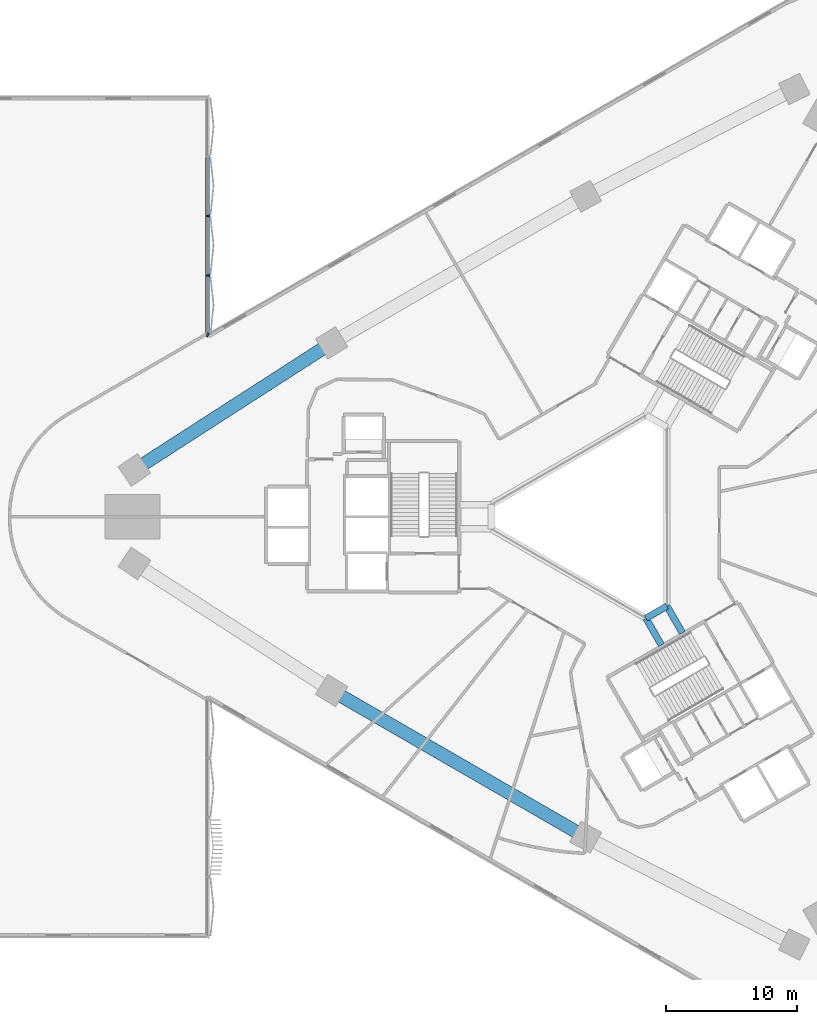
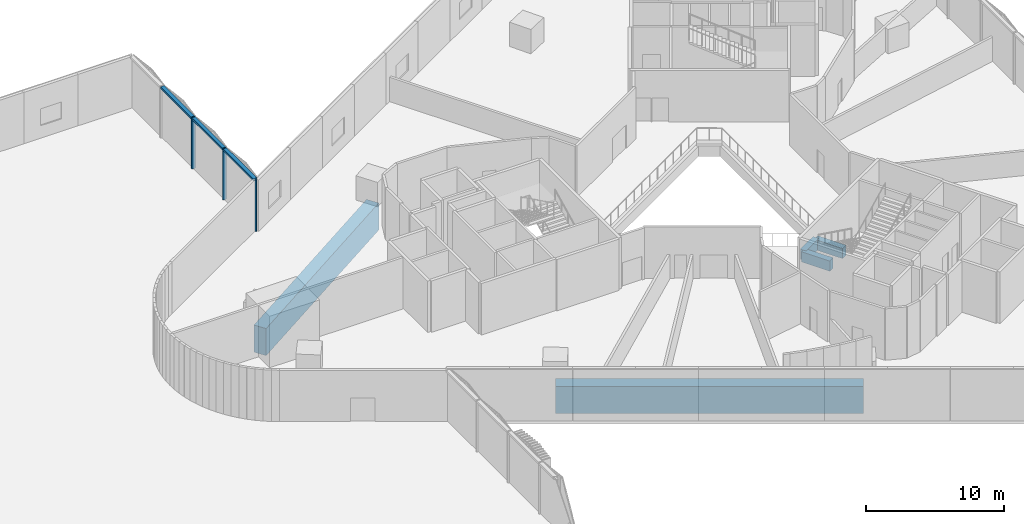
# One storey, part 5 of 24: 5 beams, 4 members, 1 element without a shape of its own.
"""IFC4 building model written with IfcOpenShell, lengths in metres."""

import ifcopenshell
import ifcopenshell.guid

model = None  # the IFC model being written
_history = None  # IfcOwnerHistory: only IFC2X3 demands one
_inside = {}  # id of a spatial element -> (the spatial element, [elements in it])
_under = {}  # id of a project, library or spatial element -> (it, [spatial elements below it])
_declared = {}  # id of a project -> (the project, [libraries it declares])
_typed = {}  # id of a type object -> (the type object, [elements of that type])
_made_of = {}  # id of a material, layer set ... -> (it, [elements and type objects made of it])


def new_model(schema):
    """Start an empty IFC model of exactly this schema.

    Asked for "IFC4X3", IfcOpenShell would pick the latest addendum, in which some entities
    have other attributes; the version numbers below select the first issue.
    IFC2X3 requires an IfcOwnerHistory on every rooted entity: one is made here for all.
    """
    global model, _history
    if schema == "IFC4X3":
        model = ifcopenshell.file(schema_version=(4, 3, 0, 0))
    else:
        model = ifcopenshell.file(schema=schema)
    _inside.clear()
    _under.clear()
    _declared.clear()
    _typed.clear()
    _made_of.clear()
    _history = None
    if model.schema == "IFC2X3":
        org = make("IfcOrganization", Name="unknown")
        user = make(
            "IfcPersonAndOrganization",
            ThePerson=make("IfcPerson", FamilyName="unknown"),
            TheOrganization=org,
        )
        app = make(
            "IfcApplication",
            ApplicationDeveloper=org,
            Version="unknown",
            ApplicationFullName="unknown",
            ApplicationIdentifier="unknown",
        )
        _history = make(
            "IfcOwnerHistory",
            OwningUser=user,
            OwningApplication=app,
            ChangeAction="ADDED",
            CreationDate=0,
        )
    return model


def make(cls, **values):
    """One entity of the class cls with the attributes given. An attribute that is None is left unset."""
    return model.create_entity(
        cls, **{name: value for name, value in values.items() if value is not None}
    )


def rooted(cls, **values):
    """An entity with a GlobalId (a new one), such as an element, a storey or a relation."""
    return make(cls, GlobalId=ifcopenshell.guid.new(), OwnerHistory=_history, **values)


def si_unit(unit_type, name, prefix=None):
    """IfcSIUnit, for example si_unit("LENGTHUNIT", "METRE", prefix="MILLI")."""
    return make("IfcSIUnit", UnitType=unit_type, Prefix=prefix, Name=name)


def assignment(units):
    """IfcUnitAssignment: the units of a project."""
    return None if units is None else make("IfcUnitAssignment", Units=units)


def point(xyz):
    """IfcCartesianPoint."""
    return None if xyz is None else make("IfcCartesianPoint", Coordinates=xyz)


def direction(xyz):
    """IfcDirection."""
    return None if xyz is None else make("IfcDirection", DirectionRatios=xyz)


def frame(location, z_axis=None, x_axis=None):
    """IfcAxis2Placement3D, a coordinate frame: its origin and axes. An axis left out is left unset."""
    return make(
        "IfcAxis2Placement3D",
        Location=point(location),
        Axis=direction(z_axis),
        RefDirection=direction(x_axis),
    )


def frame_2d(location, x_axis=None):
    """IfcAxis2Placement2D, a coordinate frame in the plane: its origin and x axis."""
    return make(
        "IfcAxis2Placement2D", Location=point(location), RefDirection=direction(x_axis)
    )


def origin():
    """The frame at (0, 0, 0) with its axes left unset."""
    return frame((0.0, 0.0, 0.0))


def origin_2d():
    """The frame at (0, 0) in the plane with its x axis left unset."""
    return frame_2d((0.0, 0.0))


def place(relative_to, where):
    """IfcLocalPlacement: puts the frame where relative to a parent placement (None: the world)."""
    return make(
        "IfcLocalPlacement", PlacementRelTo=relative_to, RelativePlacement=where
    )


def context(
    kind, dimensions, precision=None, world=None, true_north=None, identifier=None
):
    """IfcGeometricRepresentationContext, for example the 3D "Model" context."""
    return make(
        "IfcGeometricRepresentationContext",
        ContextIdentifier=identifier,
        ContextType=kind,
        CoordinateSpaceDimension=dimensions,
        Precision=precision,
        WorldCoordinateSystem=world,
        TrueNorth=true_north,
    )


def subcontext(parent, identifier, kind, view, scale=None):
    """IfcGeometricRepresentationSubContext, for example "Body" below "Model"."""
    return make(
        "IfcGeometricRepresentationSubContext",
        ContextIdentifier=identifier,
        ContextType=kind,
        ParentContext=parent,
        TargetScale=scale,
        TargetView=view,
    )


def project(units=None, contexts=None):
    """IfcProject with its units and contexts."""
    return rooted(
        "IfcProject",
        Name="project",
        RepresentationContexts=contexts,
        UnitsInContext=assignment(units),
    )


def spatial(cls, under=None, at=None, **own):
    """A site, building, storey or space (cls), placed at a placement, below another one or the project."""
    s = rooted(cls, ObjectPlacement=at, **own)
    if under is not None:
        _under.setdefault(under.id(), (under, []))[1].append(s)
    return s


def profile(cls, at=None, kind="AREA", **sizes):
    """A parametric profile (cls). Its sizes go by their IFC names, for example OverallWidth=200.0."""
    return make(cls, ProfileType=kind, Position=at, **sizes)


def rectangle(**sizes):
    """IfcRectangleProfileDef."""
    return profile("IfcRectangleProfileDef", **sizes)


def extrude(swept, where, along, depth):
    """IfcExtrudedAreaSolid: the profile swept, set in the frame where, extruded along a direction by depth."""
    return make(
        "IfcExtrudedAreaSolid",
        SweptArea=swept,
        Position=where,
        ExtrudedDirection=direction(along),
        Depth=depth,
    )


def shape(context_of_items, identifier, shape_type, items):
    """IfcShapeRepresentation: the items that make up one representation, for example the "Body"."""
    return make(
        "IfcShapeRepresentation",
        ContextOfItems=context_of_items,
        RepresentationIdentifier=identifier,
        RepresentationType=shape_type,
        Items=items,
    )


def material(Name=None, Category=None):
    """IfcMaterial."""
    return make("IfcMaterial", Name=Name, Category=Category)


def material_profile(
    of_material, cross_section, Name=None, Category=None, Priority=None
):
    """IfcMaterialProfile: a cross section and its material."""
    return make(
        "IfcMaterialProfile",
        Name=Name,
        Material=of_material,
        Profile=cross_section,
        Priority=Priority,
        Category=Category,
    )


def profile_set(profiles, Name=None, composite=None):
    """IfcMaterialProfileSet."""
    return make(
        "IfcMaterialProfileSet",
        Name=Name,
        MaterialProfiles=profiles,
        CompositeProfile=composite,
    )


def made_of(thing, what):
    """Note that an element or type object is made of a material, layer set ...; save() writes the relation."""
    if what is not None:
        _made_of.setdefault(what.id(), (what, []))[1].append(thing)
    return thing


def type_object(cls, material=None, **own):
    """A type object (cls), such as IfcWallType, which elements share."""
    return made_of(rooted(cls, **own), material)


def element(
    cls,
    number,
    at=None,
    inside=None,
    cuts=None,
    type_object=None,
    material=None,
    context=None,
    identifier="Body",
    shape_type=None,
    held_by="IfcProductDefinitionShape",
    body=None,
    shapes=None,
    **own,
):
    """One element of the class cls, such as IfcWall. Its Tag is "e" and its number.

    at: its placement. inside: the storey or other place that contains it. cuts: it is an
    opening in that element (IfcRelVoidsElement). A single representation is given by context,
    identifier, shape_type and body (its items); several are given by shapes. held_by: the class
    of the entity that holds the representations. save() writes the other relations.
    """
    e = rooted(cls, Tag="e%d" % number, ObjectPlacement=at, **own)
    if body is not None:
        shapes = [shape(context, identifier, shape_type, body)]
    if shapes is not None:
        e.Representation = make(held_by, Representations=shapes)
    if inside is not None:
        _inside.setdefault(inside.id(), (inside, []))[1].append(e)
    if cuts is not None:
        rooted(
            "IfcRelVoidsElement", RelatingBuildingElement=cuts, RelatedOpeningElement=e
        )
    if type_object is not None:
        _typed.setdefault(type_object.id(), (type_object, []))[1].append(e)
    return made_of(e, material)


def aggregate(whole, parts):
    """IfcRelAggregates: a whole, such as a stair, and the parts it consists of."""
    return rooted("IfcRelAggregates", RelatingObject=whole, RelatedObjects=parts)


def save(model, path):
    """Write the relations noted so far, then the file.

    IfcRelAggregates (storeys below a building ...), IfcRelContainedInSpatialStructure (elements
    in a storey), IfcRelDefinesByType, IfcRelAssociatesMaterial and IfcRelDeclares: one each for
    every whole, place, type object, material and project.
    """
    for whole, parts in _under.values():
        aggregate(whole, parts)
    for where, things in _inside.values():
        rooted(
            "IfcRelContainedInSpatialStructure",
            RelatedElements=things,
            RelatingStructure=where,
        )
    for kind, things in _typed.values():
        rooted("IfcRelDefinesByType", RelatedObjects=things, RelatingType=kind)
    for what, things in _made_of.values():
        rooted("IfcRelAssociatesMaterial", RelatedObjects=things, RelatingMaterial=what)
    for by, libraries in _declared.values():
        rooted("IfcRelDeclares", RelatingContext=by, RelatedDefinitions=libraries)
    model.write(path)


model = new_model("IFC4")

# Units and contexts
model_context = context("Model", 3, precision=1e-05, world=origin(), true_north=direction((0.0, 1.0)))
body_context = subcontext(model_context, "Body", "Model", "MODEL_VIEW")
ifc_project = project(units=[si_unit("LENGTHUNIT", "METRE"), si_unit("AREAUNIT", "SQUARE_METRE"), si_unit("VOLUMEUNIT", "CUBIC_METRE"), si_unit("PLANEANGLEUNIT", "RADIAN"), si_unit("MASSUNIT", "GRAM", prefix="KILO")], contexts=[model_context])

# Site, building, storey
site_placement = place(None, origin())
site = spatial("IfcSite", under=ifc_project, at=site_placement, CompositionType="ELEMENT")
building_placement = place(site_placement, origin())
building = spatial("IfcBuilding", under=site, at=building_placement, Name="Tamra Quay Hotel Tower", CompositionType="ELEMENT")
storey_placement = place(building_placement, frame((0.0, 0.0, 19.5)))
storey = spatial("IfcBuildingStorey", under=building, at=storey_placement, Name="L03", CompositionType="ELEMENT", Elevation=19.5)

# Beams
ifc_material_1 = material(Name="Concrete M60", Category="concrete")
ifc_material_profile_1 = material_profile(ifc_material_1, rectangle(XDim=0.5, YDim=0.89990234375, at=origin_2d()), Name="ATRIUM EDGE BEAM RC 500x900")
ifc_profile_set_1 = profile_set([ifc_material_profile_1], Name="Concrete M60")
beam_type_1 = type_object("IfcBeamType", Name="ATRIUM EDGE BEAM RC 500x900", PredefinedType="BEAM", material=ifc_profile_set_1)
beam_1_placement = place(storey_placement, frame((5.0, -6.812744140625, -0.800048828125), z_axis=(-0.86602275259, -0.500004591975, 0.0), x_axis=(0.500004591975, -0.86602275259, 0.0)))
element("IfcBeam", 1, at=beam_1_placement, inside=storey, type_object=beam_type_1, Name="BM-AB1-L03", PredefinedType="BEAM", context=body_context, shape_type="SweptSolid", body=[
    extrude(rectangle(XDim=0.5, YDim=0.89990234375, at=origin_2d()), origin(), (0.0, 0.0, 1.0), 1.84765625),
])
ifc_material_profile_2 = material_profile(ifc_material_1, rectangle(XDim=0.5, YDim=0.89990234375, at=origin_2d()), Name="ATRIUM TIE BEAM RC 500x900")
ifc_profile_set_2 = profile_set([ifc_material_profile_2], Name="Concrete M60")
beam_type_2 = type_object("IfcBeamType", Name="ATRIUM TIE BEAM RC 500x900", PredefinedType="BEAM", material=ifc_profile_set_2)
for number, where, z_axis, x_axis, name in (
    (2, (5.0, -6.812744140625, -0.800048828125), (0.500029618126, -0.866008303076, 0.0), (0.866008303076, 0.500029618126, 0.0), "BM-TIE-1-L03"),
    (3, (3.39990234375, -7.736572265625, -0.800048828125), (0.500029618126, -0.866008303076, 0.0), (0.866008303076, 0.500029618126, 0.0), "BM-TIE-2-L03"),
):
    element("IfcBeam", number, at=place(storey_placement, frame(where, z_axis=z_axis, x_axis=x_axis)), inside=storey, type_object=beam_type_2, Name=name, PredefinedType="BEAM", context=body_context, shape_type="SweptSolid", body=[
        extrude(rectangle(XDim=0.5, YDim=0.89990234375, at=origin_2d()), origin(), (0.0, 0.0, 1.0), 2.362060546875),
    ])

# Curtain wall, members
ifc_material_2 = material(Name="Aluminium 6063 anodised dark grey", Category="aluminium")
curtain_wall_type = type_object("IfcCurtainWallType", Name="CW4 CURTAIN WALL", PredefinedType="NOTDEFINED", material=ifc_material_2)
curtain_wall_placement = place(storey_placement, origin())
curtain_wall = element("IfcCurtainWall", 4, at=curtain_wall_placement, inside=storey, type_object=curtain_wall_type, Name="CW4 east face L03", PredefinedType="NOTDEFINED")
ifc_material_profile_3 = material_profile(ifc_material_2, rectangle(XDim=0.300048828125, YDim=0.1201171875, at=origin_2d()), Name="MULLION 120X300")
ifc_profile_set_3 = profile_set([ifc_material_profile_3], Name="Aluminium 6063 anodised dark grey")
member_type_1 = type_object("IfcMemberType", Name="MULLION CW4", PredefinedType="MULLION", material=ifc_profile_set_3)
member_1_placement = place(storey_placement, frame((-30.0, 13.8564453125, 0.0), z_axis=(0.0, 0.0, 1.0), x_axis=(0.500164184883, 0.865930590845, 0.0)))
member_1 = element("IfcMember", 5, at=member_1_placement, type_object=member_type_1, Name="CW4 mullion L03.E.18", PredefinedType="MULLION", context=body_context, shape_type="SweptSolid", body=[
    extrude(rectangle(XDim=0.300048828125, YDim=0.1201171875, at=origin_2d()), origin(), (0.0, 0.0, 1.0), 4.550048828125),
])
member_2_placement = place(storey_placement, frame((-30.0, 18.392333984375, 0.0), z_axis=(0.0, 0.0, 1.0), x_axis=(1.0, 0.0, 0.0)))
member_2 = element("IfcMember", 6, at=member_2_placement, type_object=member_type_1, Name="CW4 mullion L03.E.19", PredefinedType="MULLION", context=body_context, shape_type="SweptSolid", body=[
    extrude(rectangle(XDim=0.300048828125, YDim=0.1201171875, at=origin_2d()), origin(), (0.0, 0.0, 1.0), 4.550048828125),
])
member_3_placement = place(storey_placement, frame((-30.0, 22.92822265625, 0.0), z_axis=(0.0, 0.0, 1.0), x_axis=(1.0, 0.0, 0.0)))
member_3 = element("IfcMember", 7, at=member_3_placement, type_object=member_type_1, Name="CW4 mullion L03.E.20", PredefinedType="MULLION", context=body_context, shape_type="SweptSolid", body=[
    extrude(rectangle(XDim=0.300048828125, YDim=0.1201171875, at=origin_2d()), origin(), (0.0, 0.0, 1.0), 4.550048828125),
])

# Beams
ifc_material_profile_4 = material_profile(ifc_material_1, rectangle(XDim=1.0, YDim=2.39990234375, at=origin_2d()), Name="PODIUM RING GIRDER RC 1000x2400")
ifc_profile_set_4 = profile_set([ifc_material_profile_4], Name="Concrete M60")
beam_type_3 = type_object("IfcBeamType", Name="PODIUM RING GIRDER RC 1000x2400", PredefinedType="BEAM", material=ifc_profile_set_4)
beam_2_placement = place(storey_placement, frame((-20.552001953125, 13.248046875, -1.550048828125), z_axis=(-0.840663037387, -0.541558544915, 0.0), x_axis=(0.541558544915, -0.840663037387, 0.0)))
element("IfcBeam", 8, at=beam_2_placement, inside=storey, type_object=beam_type_3, Name="BM-PG006-L03", PredefinedType="BEAM", context=body_context, shape_type="SweptSolid", body=[
    extrude(rectangle(XDim=1.0, YDim=2.39990234375, at=origin_2d()), origin(), (0.0, 0.0, 1.0), 17.880615234375),
])
beam_3_placement = place(storey_placement, frame((-20.552001953125, -13.248046875, -1.550048828125), z_axis=(0.866023498866, -0.500003299401, 0.0), x_axis=(0.500003299401, 0.866023498866, 0.0)))
element("IfcBeam", 9, at=beam_3_placement, inside=storey, type_object=beam_type_3, Name="BM-PG008-L03", PredefinedType="BEAM", context=body_context, shape_type="SweptSolid", body=[
    extrude(rectangle(XDim=1.0, YDim=2.39990234375, at=origin_2d()), origin(), (0.0, 0.0, 1.0), 22.348876953125),
])

# Member
ifc_material_profile_5 = material_profile(ifc_material_2, rectangle(XDim=0.300048828125, YDim=0.179931640625, at=origin_2d()), Name="TRANSOM 300X180")
ifc_profile_set_5 = profile_set([ifc_material_profile_5], Name="Aluminium 6063 anodised dark grey")
member_type_2 = type_object("IfcMemberType", Name="TRANSOM CW4", PredefinedType="USERDEFINED", material=ifc_profile_set_5)
member_4_placement = place(storey_placement, frame((-30.0, 13.91650390625, 4.4599609375), z_axis=(0.0, 1.0, 0.0), x_axis=(-1.0, 0.0, 0.0)))
member_4 = element("IfcMember", 10, at=member_4_placement, type_object=member_type_2, Name="CW4 transom L03.E.18", ObjectType="TRANSOM", PredefinedType="USERDEFINED", context=body_context, shape_type="SweptSolid", body=[
    extrude(rectangle(XDim=0.300048828125, YDim=0.179931640625, at=origin_2d()), origin(), (0.0, 0.0, 1.0), 13.487548828125),
])

aggregate(curtain_wall, [member_1, member_4, member_2, member_3])

save(model, "model.ifc")
